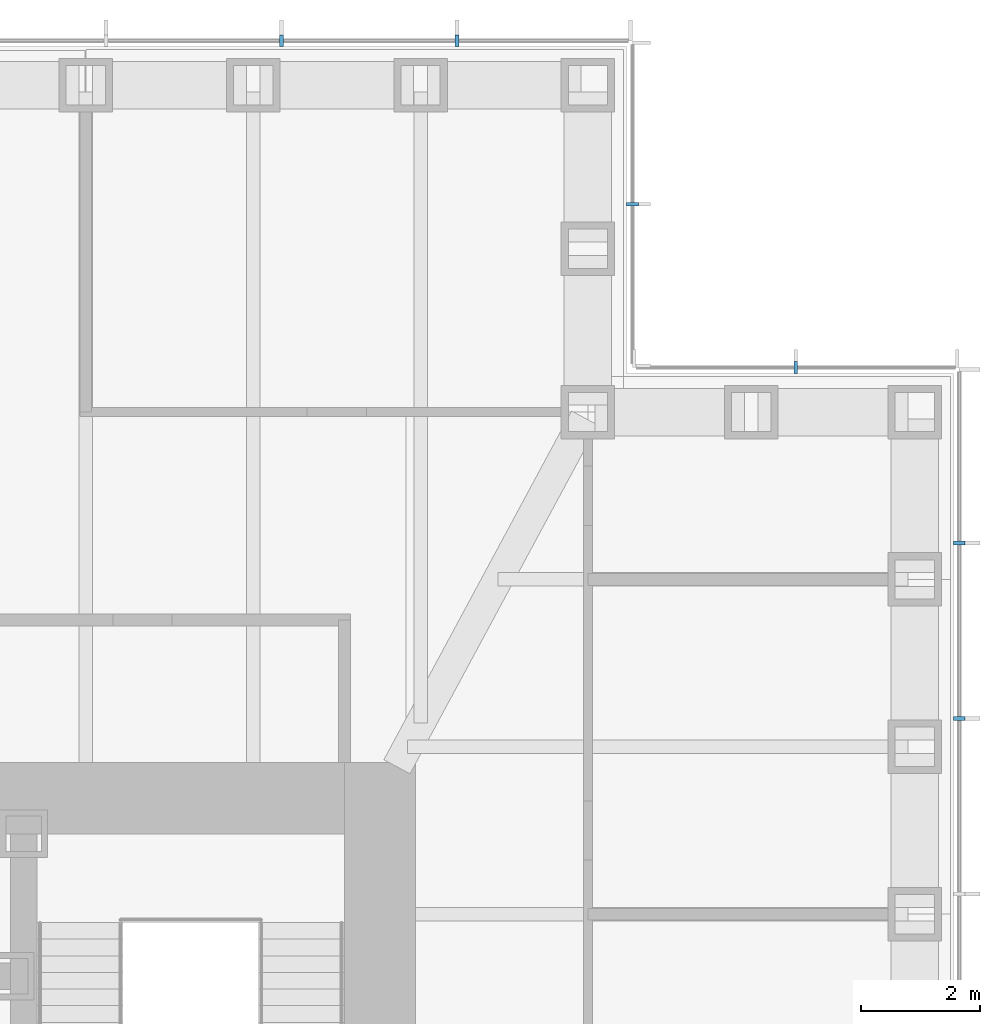
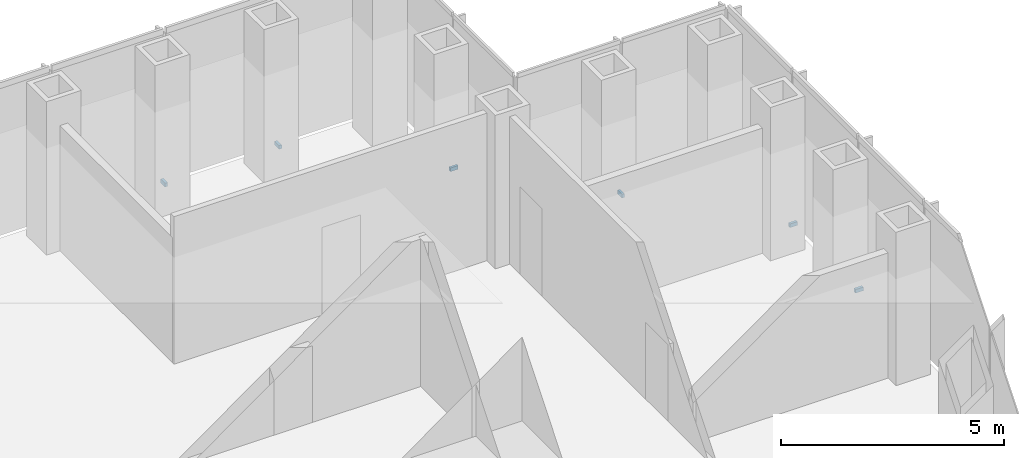
# One storey, part 15 of 16: 6 discrete accessories.
"""IFC4 building model written with IfcOpenShell, lengths in metres."""

import ifcopenshell
import ifcopenshell.guid

model = None  # the IFC model being written
_history = None  # IfcOwnerHistory: only IFC2X3 demands one
_inside = {}  # id of a spatial element -> (the spatial element, [elements in it])
_under = {}  # id of a project, library or spatial element -> (it, [spatial elements below it])
_declared = {}  # id of a project -> (the project, [libraries it declares])
_typed = {}  # id of a type object -> (the type object, [elements of that type])
_made_of = {}  # id of a material, layer set ... -> (it, [elements and type objects made of it])


def new_model(schema):
    """Start an empty IFC model of exactly this schema.

    Asked for "IFC4X3", IfcOpenShell would pick the latest addendum, in which some entities
    have other attributes; the version numbers below select the first issue.
    IFC2X3 requires an IfcOwnerHistory on every rooted entity: one is made here for all.
    """
    global model, _history
    if schema == "IFC4X3":
        model = ifcopenshell.file(schema_version=(4, 3, 0, 0))
    else:
        model = ifcopenshell.file(schema=schema)
    _inside.clear()
    _under.clear()
    _declared.clear()
    _typed.clear()
    _made_of.clear()
    _history = None
    if model.schema == "IFC2X3":
        org = make("IfcOrganization", Name="unknown")
        user = make(
            "IfcPersonAndOrganization",
            ThePerson=make("IfcPerson", FamilyName="unknown"),
            TheOrganization=org,
        )
        app = make(
            "IfcApplication",
            ApplicationDeveloper=org,
            Version="unknown",
            ApplicationFullName="unknown",
            ApplicationIdentifier="unknown",
        )
        _history = make(
            "IfcOwnerHistory",
            OwningUser=user,
            OwningApplication=app,
            ChangeAction="ADDED",
            CreationDate=0,
        )
    return model


def make(cls, **values):
    """One entity of the class cls with the attributes given. An attribute that is None is left unset."""
    return model.create_entity(
        cls, **{name: value for name, value in values.items() if value is not None}
    )


def rooted(cls, **values):
    """An entity with a GlobalId (a new one), such as an element, a storey or a relation."""
    return make(cls, GlobalId=ifcopenshell.guid.new(), OwnerHistory=_history, **values)


def si_unit(unit_type, name, prefix=None):
    """IfcSIUnit, for example si_unit("LENGTHUNIT", "METRE", prefix="MILLI")."""
    return make("IfcSIUnit", UnitType=unit_type, Prefix=prefix, Name=name)


def assignment(units):
    """IfcUnitAssignment: the units of a project."""
    return None if units is None else make("IfcUnitAssignment", Units=units)


def point(xyz):
    """IfcCartesianPoint."""
    return None if xyz is None else make("IfcCartesianPoint", Coordinates=xyz)


def direction(xyz):
    """IfcDirection."""
    return None if xyz is None else make("IfcDirection", DirectionRatios=xyz)


def frame(location, z_axis=None, x_axis=None):
    """IfcAxis2Placement3D, a coordinate frame: its origin and axes. An axis left out is left unset."""
    return make(
        "IfcAxis2Placement3D",
        Location=point(location),
        Axis=direction(z_axis),
        RefDirection=direction(x_axis),
    )


def frame_2d(location, x_axis=None):
    """IfcAxis2Placement2D, a coordinate frame in the plane: its origin and x axis."""
    return make(
        "IfcAxis2Placement2D", Location=point(location), RefDirection=direction(x_axis)
    )


def origin():
    """The frame at (0, 0, 0) with its axes left unset."""
    return frame((0.0, 0.0, 0.0))


def origin_2d():
    """The frame at (0, 0) in the plane with its x axis left unset."""
    return frame_2d((0.0, 0.0))


def place(relative_to, where):
    """IfcLocalPlacement: puts the frame where relative to a parent placement (None: the world)."""
    return make(
        "IfcLocalPlacement", PlacementRelTo=relative_to, RelativePlacement=where
    )


def context(
    kind, dimensions, precision=None, world=None, true_north=None, identifier=None
):
    """IfcGeometricRepresentationContext, for example the 3D "Model" context."""
    return make(
        "IfcGeometricRepresentationContext",
        ContextIdentifier=identifier,
        ContextType=kind,
        CoordinateSpaceDimension=dimensions,
        Precision=precision,
        WorldCoordinateSystem=world,
        TrueNorth=true_north,
    )


def subcontext(parent, identifier, kind, view, scale=None):
    """IfcGeometricRepresentationSubContext, for example "Body" below "Model"."""
    return make(
        "IfcGeometricRepresentationSubContext",
        ContextIdentifier=identifier,
        ContextType=kind,
        ParentContext=parent,
        TargetScale=scale,
        TargetView=view,
    )


def project(units=None, contexts=None):
    """IfcProject with its units and contexts."""
    return rooted(
        "IfcProject",
        Name="project",
        RepresentationContexts=contexts,
        UnitsInContext=assignment(units),
    )


def spatial(cls, under=None, at=None, **own):
    """A site, building, storey or space (cls), placed at a placement, below another one or the project."""
    s = rooted(cls, ObjectPlacement=at, **own)
    if under is not None:
        _under.setdefault(under.id(), (under, []))[1].append(s)
    return s


def profile(cls, at=None, kind="AREA", **sizes):
    """A parametric profile (cls). Its sizes go by their IFC names, for example OverallWidth=200.0."""
    return make(cls, ProfileType=kind, Position=at, **sizes)


def rectangle(**sizes):
    """IfcRectangleProfileDef."""
    return profile("IfcRectangleProfileDef", **sizes)


def extrude(swept, where, along, depth):
    """IfcExtrudedAreaSolid: the profile swept, set in the frame where, extruded along a direction by depth."""
    return make(
        "IfcExtrudedAreaSolid",
        SweptArea=swept,
        Position=where,
        ExtrudedDirection=direction(along),
        Depth=depth,
    )


def shape(context_of_items, identifier, shape_type, items):
    """IfcShapeRepresentation: the items that make up one representation, for example the "Body"."""
    return make(
        "IfcShapeRepresentation",
        ContextOfItems=context_of_items,
        RepresentationIdentifier=identifier,
        RepresentationType=shape_type,
        Items=items,
    )


def made_of(thing, what):
    """Note that an element or type object is made of a material, layer set ...; save() writes the relation."""
    if what is not None:
        _made_of.setdefault(what.id(), (what, []))[1].append(thing)
    return thing


def element(
    cls,
    number,
    at=None,
    inside=None,
    cuts=None,
    type_object=None,
    material=None,
    context=None,
    identifier="Body",
    shape_type=None,
    held_by="IfcProductDefinitionShape",
    body=None,
    shapes=None,
    **own,
):
    """One element of the class cls, such as IfcWall. Its Tag is "e" and its number.

    at: its placement. inside: the storey or other place that contains it. cuts: it is an
    opening in that element (IfcRelVoidsElement). A single representation is given by context,
    identifier, shape_type and body (its items); several are given by shapes. held_by: the class
    of the entity that holds the representations. save() writes the other relations.
    """
    e = rooted(cls, Tag="e%d" % number, ObjectPlacement=at, **own)
    if body is not None:
        shapes = [shape(context, identifier, shape_type, body)]
    if shapes is not None:
        e.Representation = make(held_by, Representations=shapes)
    if inside is not None:
        _inside.setdefault(inside.id(), (inside, []))[1].append(e)
    if cuts is not None:
        rooted(
            "IfcRelVoidsElement", RelatingBuildingElement=cuts, RelatedOpeningElement=e
        )
    if type_object is not None:
        _typed.setdefault(type_object.id(), (type_object, []))[1].append(e)
    return made_of(e, material)


def aggregate(whole, parts):
    """IfcRelAggregates: a whole, such as a stair, and the parts it consists of."""
    return rooted("IfcRelAggregates", RelatingObject=whole, RelatedObjects=parts)


def save(model, path):
    """Write the relations noted so far, then the file.

    IfcRelAggregates (storeys below a building ...), IfcRelContainedInSpatialStructure (elements
    in a storey), IfcRelDefinesByType, IfcRelAssociatesMaterial and IfcRelDeclares: one each for
    every whole, place, type object, material and project.
    """
    for whole, parts in _under.values():
        aggregate(whole, parts)
    for where, things in _inside.values():
        rooted(
            "IfcRelContainedInSpatialStructure",
            RelatedElements=things,
            RelatingStructure=where,
        )
    for kind, things in _typed.values():
        rooted("IfcRelDefinesByType", RelatedObjects=things, RelatingType=kind)
    for what, things in _made_of.values():
        rooted("IfcRelAssociatesMaterial", RelatedObjects=things, RelatingMaterial=what)
    for by, libraries in _declared.values():
        rooted("IfcRelDeclares", RelatingContext=by, RelatedDefinitions=libraries)
    model.write(path)


model = new_model("IFC4")

# Units and contexts
model_context = context("Model", 3, precision=1e-05, world=origin(), true_north=direction((0.0, 1.0)))
body_context = subcontext(model_context, "Body", "Model", "MODEL_VIEW")
ifc_project = project(units=[si_unit("LENGTHUNIT", "METRE"), si_unit("AREAUNIT", "SQUARE_METRE"), si_unit("VOLUMEUNIT", "CUBIC_METRE"), si_unit("PLANEANGLEUNIT", "RADIAN"), si_unit("MASSUNIT", "GRAM", prefix="KILO")], contexts=[model_context])

# Site, building, storey
site_placement = place(None, origin())
site = spatial("IfcSite", under=ifc_project, at=site_placement, CompositionType="ELEMENT")
building_placement = place(site_placement, origin())
building = spatial("IfcBuilding", under=site, at=building_placement, Name="Daluyong Arena Tower", CompositionType="ELEMENT")
storey_placement = place(building_placement, frame((0.0, 0.0, 206.5)))
storey = spatial("IfcBuildingStorey", under=building, at=storey_placement, Name="L46", CompositionType="ELEMENT", Elevation=206.5)

# Discrete accessories
for number, where, z_axis, x_axis, name in (
    (1, (77.75, 90.3408203125, -0.10009765625), (0.0, 0.0, 1.0), (0.0, 1.0, 0.0), "curtain wall L46 E anchor bracket 10"),
    (2, (77.75, 93.29541015625, -0.10009765625), (0.0, 0.0, 1.0), (0.0, 1.0, 0.0), "curtain wall L46 E anchor bracket 11"),
):
    element("IfcDiscreteAccessory", number, at=place(storey_placement, frame(where, z_axis=z_axis, x_axis=x_axis)), inside=storey, Name=name, PredefinedType="BRACKET", context=body_context, shape_type="SweptSolid", body=[
        extrude(rectangle(XDim=0.070068359375, YDim=0.199951171875, at=origin_2d()), origin(), (0.0, 0.0, 1.0), 0.10009765625),
    ])
for number, where, z_axis, x_axis, name in (
    (3, (75.0, 96.25, -0.10009765625), (0.0, 0.0, 1.0), (-1.0, 0.0, 0.0), "curtain wall L46 NE-N anchor bracket 2"),
    (4, (72.25, 99.0, -0.10009765625), (0.0, 0.0, 1.0), (0.0, 1.0, 0.0), "curtain wall L46 NE-E anchor bracket 2"),
):
    element("IfcDiscreteAccessory", number, at=place(storey_placement, frame(where, z_axis=z_axis, x_axis=x_axis)), inside=storey, Name=name, PredefinedType="BRACKET", context=body_context, shape_type="SweptSolid", body=[
        extrude(rectangle(XDim=0.06005859375, YDim=0.199951171875, at=origin_2d()), origin(), (0.0, 0.0, 1.0), 0.10009765625),
    ])
for number, where, z_axis, x_axis, name in (
    (5, (69.29541015625, 101.75, -0.10009765625), (0.0, 0.0, 1.0), (-1.0, 0.0, 0.0), "curtain wall L46 N anchor bracket 2"),
    (6, (66.3408203125, 101.75, -0.10009765625), (0.0, 0.0, 1.0), (-1.0, 0.0, 0.0), "curtain wall L46 N anchor bracket 3"),
):
    element("IfcDiscreteAccessory", number, at=place(storey_placement, frame(where, z_axis=z_axis, x_axis=x_axis)), inside=storey, Name=name, PredefinedType="BRACKET", context=body_context, shape_type="SweptSolid", body=[
        extrude(rectangle(XDim=0.070068359375, YDim=0.199951171875, at=origin_2d()), origin(), (0.0, 0.0, 1.0), 0.10009765625),
    ])

save(model, "model.ifc")
